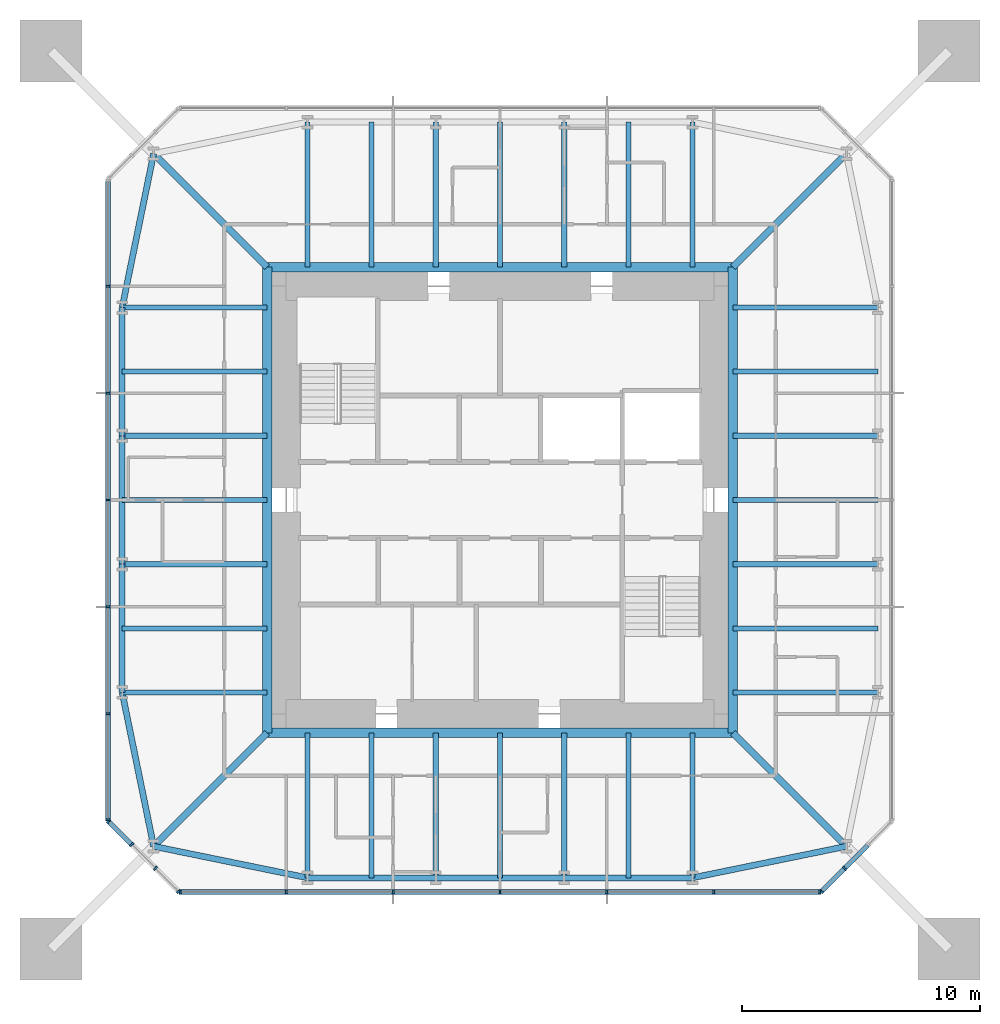
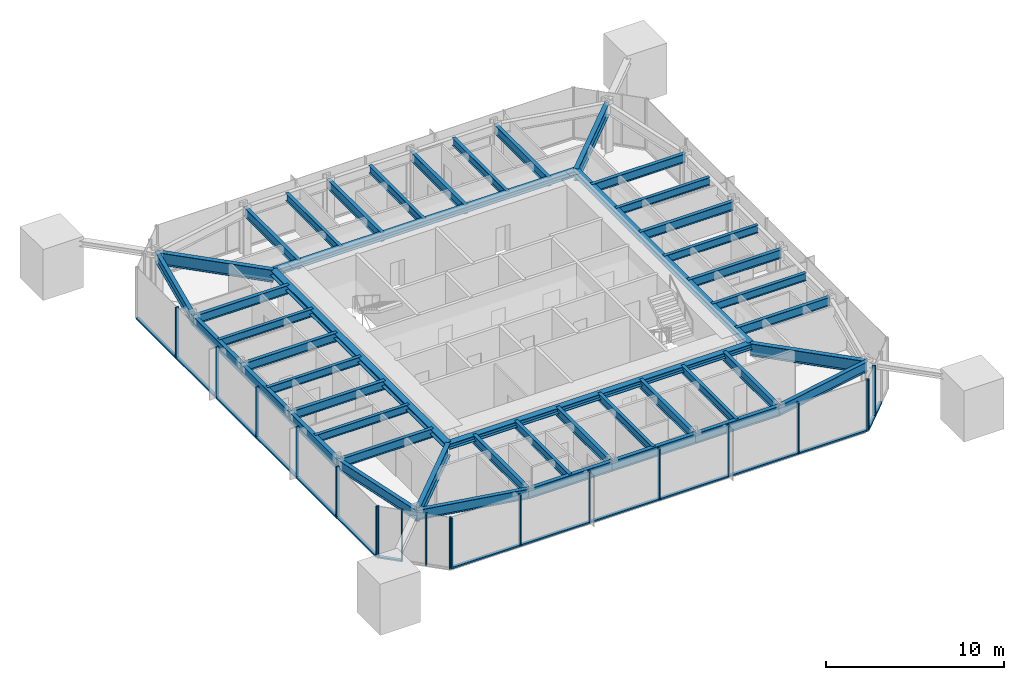
# One storey, part 2 of 9: 46 beams, 34 members, 4 elements without a shape of their own.
"""IFC4 building model written with IfcOpenShell, lengths in metres."""

from ifc_helpers import new_model, si_unit, direction, frame, origin, origin_2d, place, context, subcontext, project, spatial, rectangle, i_section, extrude, material, material_profile, profile_set, type_object, element, aggregate, save


model = new_model("IFC4")

# Units and contexts
model_context = context("Model", 3, precision=1e-05, world=origin(), true_north=direction((0.0, 1.0)))
body_context = subcontext(model_context, "Body", "Model", "MODEL_VIEW")
ifc_project = project(units=[si_unit("LENGTHUNIT", "METRE"), si_unit("AREAUNIT", "SQUARE_METRE"), si_unit("VOLUMEUNIT", "CUBIC_METRE"), si_unit("PLANEANGLEUNIT", "RADIAN"), si_unit("MASSUNIT", "GRAM", prefix="KILO")], contexts=[model_context])

# Site, building, storey
site_placement = place(None, origin())
site = spatial("IfcSite", under=ifc_project, at=site_placement, CompositionType="ELEMENT")
building_placement = place(site_placement, origin())
building = spatial("IfcBuilding", under=site, at=building_placement, Name="Iwan Alto Co-Living Towers", CompositionType="ELEMENT")
storey_placement = place(building_placement, frame((0.0, 0.0, 257.0)))
storey = spatial("IfcBuildingStorey", under=building, at=storey_placement, Name="L70", CompositionType="ELEMENT", Elevation=257.0)

# Curtain wall, members
ifc_material_1 = material(Name="Bronze aluminium unitised frame", Category="aluminium")
curtain_wall_type_1 = type_object("IfcCurtainWallType", Name="CURTAIN WALL CW-A", PredefinedType="NOTDEFINED", material=ifc_material_1)
curtain_wall_1_placement = place(storey_placement, origin())
curtain_wall_1 = element("IfcCurtainWall", 1, at=curtain_wall_1_placement, inside=storey, type_object=curtain_wall_type_1, Name="T1 curtain wall S L70", PredefinedType="NOTDEFINED")
ifc_material_2 = material(Name="Aluminium 6063-T6 bronze anodised", Category="aluminium")
ifc_material_profile_1 = material_profile(ifc_material_2, rectangle(XDim=0.199951171875, YDim=0.080078125, at=origin_2d()), Name="AL 80X200")
ifc_profile_set_1 = profile_set([ifc_material_profile_1], Name="Aluminium 6063-T6 bronze anodised")
member_type_1 = type_object("IfcMemberType", Name="CW-A MULLION 80X200", PredefinedType="MULLION", material=ifc_profile_set_1)
member_1_placement = place(storey_placement, frame((-13.4599609375, -16.5, 0.0), z_axis=(0.0, 0.0, 1.0), x_axis=(0.0, 1.0, 0.0)))
member_1 = element("IfcMember", 2, at=member_1_placement, type_object=member_type_1, Name="CW-A mullion 1", PredefinedType="MULLION", context=body_context, shape_type="SweptSolid", body=[
    extrude(rectangle(XDim=0.199951171875, YDim=0.080078125, at=origin_2d()), origin(), (0.0, 0.0, 1.0), 3.5),
])
member_2_placement = place(storey_placement, frame((-9.0, -16.5, 0.0), z_axis=(0.0, 0.0, 1.0), x_axis=(0.0, 1.0, 0.0)))
member_2 = element("IfcMember", 3, at=member_2_placement, type_object=member_type_1, Name="CW-A mullion 2", PredefinedType="MULLION", context=body_context, shape_type="SweptSolid", body=[
    extrude(rectangle(XDim=0.199951171875, YDim=0.080078125, at=origin_2d()), origin(), (0.0, 0.0, 1.0), 3.5),
])
member_3_placement = place(storey_placement, frame((-4.5, -16.5, 0.0), z_axis=(0.0, 0.0, 1.0), x_axis=(0.0, 1.0, 0.0)))
member_3 = element("IfcMember", 4, at=member_3_placement, type_object=member_type_1, Name="CW-A mullion 3", PredefinedType="MULLION", context=body_context, shape_type="SweptSolid", body=[
    extrude(rectangle(XDim=0.199951171875, YDim=0.080078125, at=origin_2d()), origin(), (0.0, 0.0, 1.0), 3.5),
])
member_4_placement = place(storey_placement, frame((0.0, -16.5, 0.0), z_axis=(0.0, 0.0, 1.0), x_axis=(0.0, 1.0, 0.0)))
member_4 = element("IfcMember", 5, at=member_4_placement, type_object=member_type_1, Name="CW-A mullion 4", PredefinedType="MULLION", context=body_context, shape_type="SweptSolid", body=[
    extrude(rectangle(XDim=0.199951171875, YDim=0.080078125, at=origin_2d()), origin(), (0.0, 0.0, 1.0), 3.5),
])
member_5_placement = place(storey_placement, frame((4.5, -16.5, 0.0), z_axis=(0.0, 0.0, 1.0), x_axis=(0.0, 1.0, 0.0)))
member_5 = element("IfcMember", 6, at=member_5_placement, type_object=member_type_1, Name="CW-A mullion 5", PredefinedType="MULLION", context=body_context, shape_type="SweptSolid", body=[
    extrude(rectangle(XDim=0.199951171875, YDim=0.080078125, at=origin_2d()), origin(), (0.0, 0.0, 1.0), 3.5),
])
member_6_placement = place(storey_placement, frame((9.0, -16.5, 0.0), z_axis=(0.0, 0.0, 1.0), x_axis=(0.0, 1.0, 0.0)))
member_6 = element("IfcMember", 7, at=member_6_placement, type_object=member_type_1, Name="CW-A mullion 6", PredefinedType="MULLION", context=body_context, shape_type="SweptSolid", body=[
    extrude(rectangle(XDim=0.199951171875, YDim=0.080078125, at=origin_2d()), origin(), (0.0, 0.0, 1.0), 3.5),
])
member_7_placement = place(storey_placement, frame((13.4599609375, -16.5, 0.0), z_axis=(0.0, 0.0, 1.0), x_axis=(0.0, 1.0, 0.0)))
member_7 = element("IfcMember", 8, at=member_7_placement, type_object=member_type_1, Name="CW-A mullion 7", PredefinedType="MULLION", context=body_context, shape_type="SweptSolid", body=[
    extrude(rectangle(XDim=0.199951171875, YDim=0.080078125, at=origin_2d()), origin(), (0.0, 0.0, 1.0), 3.5),
])

curtain_wall_2_placement = place(storey_placement, origin())
curtain_wall_2 = element("IfcCurtainWall", 9, at=curtain_wall_2_placement, inside=storey, type_object=curtain_wall_type_1, Name="T1 curtain wall W L70", PredefinedType="NOTDEFINED")
member_8_placement = place(storey_placement, frame((-16.5, 9.0, 0.0), z_axis=(0.0, 0.0, 1.0), x_axis=(1.0, 0.0, 0.0)))
member_8 = element("IfcMember", 10, at=member_8_placement, type_object=member_type_1, Name="CW-A mullion 2", PredefinedType="MULLION", context=body_context, shape_type="SweptSolid", body=[
    extrude(rectangle(XDim=0.199951171875, YDim=0.080078125, at=origin_2d()), origin(), (0.0, 0.0, 1.0), 3.5),
])
member_9_placement = place(storey_placement, frame((-16.5, 4.5, 0.0), z_axis=(0.0, 0.0, 1.0), x_axis=(1.0, 0.0, 0.0)))
member_9 = element("IfcMember", 11, at=member_9_placement, type_object=member_type_1, Name="CW-A mullion 3", PredefinedType="MULLION", context=body_context, shape_type="SweptSolid", body=[
    extrude(rectangle(XDim=0.199951171875, YDim=0.080078125, at=origin_2d()), origin(), (0.0, 0.0, 1.0), 3.5),
])
member_10_placement = place(storey_placement, frame((-16.5, 0.0, 0.0), z_axis=(0.0, 0.0, 1.0), x_axis=(1.0, 0.0, 0.0)))
member_10 = element("IfcMember", 12, at=member_10_placement, type_object=member_type_1, Name="CW-A mullion 4", PredefinedType="MULLION", context=body_context, shape_type="SweptSolid", body=[
    extrude(rectangle(XDim=0.199951171875, YDim=0.080078125, at=origin_2d()), origin(), (0.0, 0.0, 1.0), 3.5),
])
member_11_placement = place(storey_placement, frame((-16.5, -4.5, 0.0), z_axis=(0.0, 0.0, 1.0), x_axis=(1.0, 0.0, 0.0)))
member_11 = element("IfcMember", 13, at=member_11_placement, type_object=member_type_1, Name="CW-A mullion 5", PredefinedType="MULLION", context=body_context, shape_type="SweptSolid", body=[
    extrude(rectangle(XDim=0.199951171875, YDim=0.080078125, at=origin_2d()), origin(), (0.0, 0.0, 1.0), 3.5),
])
member_12_placement = place(storey_placement, frame((-16.5, -9.0, 0.0), z_axis=(0.0, 0.0, 1.0), x_axis=(1.0, 0.0, 0.0)))
member_12 = element("IfcMember", 14, at=member_12_placement, type_object=member_type_1, Name="CW-A mullion 6", PredefinedType="MULLION", context=body_context, shape_type="SweptSolid", body=[
    extrude(rectangle(XDim=0.199951171875, YDim=0.080078125, at=origin_2d()), origin(), (0.0, 0.0, 1.0), 3.5),
])
member_13_placement = place(storey_placement, frame((-16.5, -13.4599609375, 0.0), z_axis=(0.0, 0.0, 1.0), x_axis=(1.0, 0.0, 0.0)))
member_13 = element("IfcMember", 15, at=member_13_placement, type_object=member_type_1, Name="CW-A mullion 7", PredefinedType="MULLION", context=body_context, shape_type="SweptSolid", body=[
    extrude(rectangle(XDim=0.199951171875, YDim=0.080078125, at=origin_2d()), origin(), (0.0, 0.0, 1.0), 3.5),
])

# Member
ifc_material_3 = material(Name="Aluminium 6063-T6 bronze anodised", Category="aluminium")
ifc_material_profile_2 = material_profile(ifc_material_3, rectangle(XDim=0.199951171875, YDim=0.10009765625, at=origin_2d()), Name="AL 200X100")
ifc_profile_set_2 = profile_set([ifc_material_profile_2], Name="Aluminium 6063-T6 bronze anodised")
member_type_2 = type_object("IfcMemberType", Name="CW-A TRANSOM 200X100", PredefinedType="USERDEFINED", material=ifc_profile_set_2)
member_14_placement = place(storey_placement, frame((-13.419921875, -16.5, 0.050048828125), z_axis=(1.0, 0.0, 0.0), x_axis=(0.0, 1.0, 0.0)))
member_14 = element("IfcMember", 16, at=member_14_placement, type_object=member_type_2, Name="CW-A transom 1.1", ObjectType="TRANSOM", PredefinedType="USERDEFINED", context=body_context, shape_type="SweptSolid", body=[
    extrude(rectangle(XDim=0.199951171875, YDim=0.10009765625, at=origin_2d()), origin(), (0.0, 0.0, 1.0), 4.3798828125),
])

member_15_placement = place(storey_placement, frame((-8.9599609375, -16.5, 0.050048828125), z_axis=(1.0, 0.0, 0.0), x_axis=(0.0, 1.0, 0.0)))
member_15 = element("IfcMember", 17, at=member_15_placement, type_object=member_type_2, Name="CW-A transom 2.1", ObjectType="TRANSOM", PredefinedType="USERDEFINED", context=body_context, shape_type="SweptSolid", body=[
    extrude(rectangle(XDim=0.199951171875, YDim=0.10009765625, at=origin_2d()), origin(), (0.0, 0.0, 1.0), 4.419921875),
])

member_16_placement = place(storey_placement, frame((-4.4599609375, -16.5, 0.050048828125), z_axis=(1.0, 0.0, 0.0), x_axis=(0.0, 1.0, 0.0)))
member_16 = element("IfcMember", 18, at=member_16_placement, type_object=member_type_2, Name="CW-A transom 3.1", ObjectType="TRANSOM", PredefinedType="USERDEFINED", context=body_context, shape_type="SweptSolid", body=[
    extrude(rectangle(XDim=0.199951171875, YDim=0.10009765625, at=origin_2d()), origin(), (0.0, 0.0, 1.0), 4.419921875),
])

member_17_placement = place(storey_placement, frame((0.0400390625, -16.5, 0.050048828125), z_axis=(1.0, 0.0, 0.0), x_axis=(0.0, 1.0, 0.0)))
member_17 = element("IfcMember", 19, at=member_17_placement, type_object=member_type_2, Name="CW-A transom 4.1", ObjectType="TRANSOM", PredefinedType="USERDEFINED", context=body_context, shape_type="SweptSolid", body=[
    extrude(rectangle(XDim=0.199951171875, YDim=0.10009765625, at=origin_2d()), origin(), (0.0, 0.0, 1.0), 4.419921875),
])

member_18_placement = place(storey_placement, frame((4.5400390625, -16.5, 0.050048828125), z_axis=(1.0, 0.0, 0.0), x_axis=(0.0, 1.0, 0.0)))
member_18 = element("IfcMember", 20, at=member_18_placement, type_object=member_type_2, Name="CW-A transom 5.1", ObjectType="TRANSOM", PredefinedType="USERDEFINED", context=body_context, shape_type="SweptSolid", body=[
    extrude(rectangle(XDim=0.199951171875, YDim=0.10009765625, at=origin_2d()), origin(), (0.0, 0.0, 1.0), 4.419921875),
])

member_19_placement = place(storey_placement, frame((9.0400390625, -16.5, 0.050048828125), z_axis=(1.0, 0.0, 0.0), x_axis=(0.0, 1.0, 0.0)))
member_19 = element("IfcMember", 21, at=member_19_placement, type_object=member_type_2, Name="CW-A transom 6.1", ObjectType="TRANSOM", PredefinedType="USERDEFINED", context=body_context, shape_type="SweptSolid", body=[
    extrude(rectangle(XDim=0.199951171875, YDim=0.10009765625, at=origin_2d()), origin(), (0.0, 0.0, 1.0), 4.3798828125),
])

aggregate(curtain_wall_1, [member_1, member_2, member_3, member_4, member_5, member_6, member_7, member_14, member_15, member_16, member_17, member_18, member_19])

member_20_placement = place(storey_placement, frame((-16.5, 13.419921875, 0.050048828125), z_axis=(0.0, -1.0, 0.0), x_axis=(1.0, 0.0, 0.0)))
member_20 = element("IfcMember", 22, at=member_20_placement, type_object=member_type_2, Name="CW-A transom 1.1", ObjectType="TRANSOM", PredefinedType="USERDEFINED", context=body_context, shape_type="SweptSolid", body=[
    extrude(rectangle(XDim=0.199951171875, YDim=0.10009765625, at=origin_2d()), origin(), (0.0, 0.0, 1.0), 4.3798828125),
])

member_21_placement = place(storey_placement, frame((-16.5, 8.9599609375, 0.050048828125), z_axis=(0.0, -1.0, 0.0), x_axis=(1.0, 0.0, 0.0)))
member_21 = element("IfcMember", 23, at=member_21_placement, type_object=member_type_2, Name="CW-A transom 2.1", ObjectType="TRANSOM", PredefinedType="USERDEFINED", context=body_context, shape_type="SweptSolid", body=[
    extrude(rectangle(XDim=0.199951171875, YDim=0.10009765625, at=origin_2d()), origin(), (0.0, 0.0, 1.0), 4.419921875),
])

member_22_placement = place(storey_placement, frame((-16.5, 4.4599609375, 0.050048828125), z_axis=(0.0, -1.0, 0.0), x_axis=(1.0, 0.0, 0.0)))
member_22 = element("IfcMember", 24, at=member_22_placement, type_object=member_type_2, Name="CW-A transom 3.1", ObjectType="TRANSOM", PredefinedType="USERDEFINED", context=body_context, shape_type="SweptSolid", body=[
    extrude(rectangle(XDim=0.199951171875, YDim=0.10009765625, at=origin_2d()), origin(), (0.0, 0.0, 1.0), 4.419921875),
])

member_23_placement = place(storey_placement, frame((-16.5, -0.0400390625, 0.050048828125), z_axis=(0.0, -1.0, 0.0), x_axis=(1.0, 0.0, 0.0)))
member_23 = element("IfcMember", 25, at=member_23_placement, type_object=member_type_2, Name="CW-A transom 4.1", ObjectType="TRANSOM", PredefinedType="USERDEFINED", context=body_context, shape_type="SweptSolid", body=[
    extrude(rectangle(XDim=0.199951171875, YDim=0.10009765625, at=origin_2d()), origin(), (0.0, 0.0, 1.0), 4.419921875),
])

member_24_placement = place(storey_placement, frame((-16.5, -4.5400390625, 0.050048828125), z_axis=(0.0, -1.0, 0.0), x_axis=(1.0, 0.0, 0.0)))
member_24 = element("IfcMember", 26, at=member_24_placement, type_object=member_type_2, Name="CW-A transom 5.1", ObjectType="TRANSOM", PredefinedType="USERDEFINED", context=body_context, shape_type="SweptSolid", body=[
    extrude(rectangle(XDim=0.199951171875, YDim=0.10009765625, at=origin_2d()), origin(), (0.0, 0.0, 1.0), 4.419921875),
])

member_25_placement = place(storey_placement, frame((-16.5, -9.0400390625, 0.050048828125), z_axis=(0.0, -1.0, 0.0), x_axis=(1.0, 0.0, 0.0)))
member_25 = element("IfcMember", 27, at=member_25_placement, type_object=member_type_2, Name="CW-A transom 6.1", ObjectType="TRANSOM", PredefinedType="USERDEFINED", context=body_context, shape_type="SweptSolid", body=[
    extrude(rectangle(XDim=0.199951171875, YDim=0.10009765625, at=origin_2d()), origin(), (0.0, 0.0, 1.0), 4.3798828125),
])

aggregate(curtain_wall_2, [member_8, member_9, member_10, member_11, member_12, member_13, member_20, member_21, member_22, member_23, member_24, member_25])

# Curtain wall, members
ifc_material_4 = material(Name="Bronze aluminium unitised frame", Category="aluminium")
curtain_wall_type_2 = type_object("IfcCurtainWallType", Name="CURTAIN WALL CW-B", PredefinedType="NOTDEFINED", material=ifc_material_4)
curtain_wall_3_placement = place(storey_placement, origin())
curtain_wall_3 = element("IfcCurtainWall", 28, at=curtain_wall_3_placement, inside=storey, type_object=curtain_wall_type_2, Name="T1 chamfer curtain wall SE L70", PredefinedType="NOTDEFINED")
ifc_material_5 = material(Name="Aluminium 6063-T6 bronze anodised", Category="aluminium")
ifc_material_profile_3 = material_profile(ifc_material_5, rectangle(XDim=0.199951171875, YDim=0.080078125, at=origin_2d()), Name="AL 80X200")
ifc_profile_set_3 = profile_set([ifc_material_profile_3], Name="Aluminium 6063-T6 bronze anodised")
member_type_3 = type_object("IfcMemberType", Name="CW-B MULLION 80X200", PredefinedType="MULLION", material=ifc_profile_set_3)
member_26_placement = place(storey_placement, frame((13.5283203125, -16.4716796875, 0.0), z_axis=(0.0, 0.0, 1.0), x_axis=(-0.707106781187, 0.707106781187, 0.0)))
member_26 = element("IfcMember", 29, at=member_26_placement, type_object=member_type_3, Name="CW-B mullion 1", PredefinedType="MULLION", context=body_context, shape_type="SweptSolid", body=[
    extrude(rectangle(XDim=0.199951171875, YDim=0.080078125, at=origin_2d()), origin(), (0.0, 0.0, 1.0), 3.5),
])
member_27_placement = place(storey_placement, frame((14.5, -15.5, 0.0), z_axis=(0.0, 0.0, 1.0), x_axis=(-0.707106781187, 0.707106781187, 0.0)))
member_27 = element("IfcMember", 30, at=member_27_placement, type_object=member_type_3, Name="CW-B mullion 2", PredefinedType="MULLION", context=body_context, shape_type="SweptSolid", body=[
    extrude(rectangle(XDim=0.199951171875, YDim=0.080078125, at=origin_2d()), origin(), (0.0, 0.0, 1.0), 3.5),
])

curtain_wall_4_placement = place(storey_placement, origin())
curtain_wall_4 = element("IfcCurtainWall", 31, at=curtain_wall_4_placement, inside=storey, type_object=curtain_wall_type_2, Name="T1 chamfer curtain wall SW L70", PredefinedType="NOTDEFINED")
member_28_placement = place(storey_placement, frame((-16.4716796875, -13.5283203125, 0.0), z_axis=(0.0, 0.0, 1.0), x_axis=(0.707106781187, 0.707106781187, 0.0)))
member_28 = element("IfcMember", 32, at=member_28_placement, type_object=member_type_3, Name="CW-B mullion 1", PredefinedType="MULLION", context=body_context, shape_type="SweptSolid", body=[
    extrude(rectangle(XDim=0.199951171875, YDim=0.080078125, at=origin_2d()), origin(), (0.0, 0.0, 1.0), 3.5),
])
member_29_placement = place(storey_placement, frame((-15.5, -14.5, 0.0), z_axis=(0.0, 0.0, 1.0), x_axis=(0.707106781187, 0.707106781187, 0.0)))
member_29 = element("IfcMember", 33, at=member_29_placement, type_object=member_type_3, Name="CW-B mullion 2", PredefinedType="MULLION", context=body_context, shape_type="SweptSolid", body=[
    extrude(rectangle(XDim=0.199951171875, YDim=0.080078125, at=origin_2d()), origin(), (0.0, 0.0, 1.0), 3.5),
])
member_30_placement = place(storey_placement, frame((-14.5, -15.5, 0.0), z_axis=(0.0, 0.0, 1.0), x_axis=(0.707106781187, 0.707106781187, 0.0)))
member_30 = element("IfcMember", 34, at=member_30_placement, type_object=member_type_3, Name="CW-B mullion 3", PredefinedType="MULLION", context=body_context, shape_type="SweptSolid", body=[
    extrude(rectangle(XDim=0.199951171875, YDim=0.080078125, at=origin_2d()), origin(), (0.0, 0.0, 1.0), 3.5),
])
member_31_placement = place(storey_placement, frame((-13.5283203125, -16.4716796875, 0.0), z_axis=(0.0, 0.0, 1.0), x_axis=(0.707106781187, 0.707106781187, 0.0)))
member_31 = element("IfcMember", 35, at=member_31_placement, type_object=member_type_3, Name="CW-B mullion 4", PredefinedType="MULLION", context=body_context, shape_type="SweptSolid", body=[
    extrude(rectangle(XDim=0.199951171875, YDim=0.080078125, at=origin_2d()), origin(), (0.0, 0.0, 1.0), 3.5),
])

# Member
ifc_material_6 = material(Name="Aluminium 6063-T6 bronze anodised", Category="aluminium")
ifc_material_profile_4 = material_profile(ifc_material_6, rectangle(XDim=0.199951171875, YDim=0.10009765625, at=origin_2d()), Name="AL 200X100")
ifc_profile_set_4 = profile_set([ifc_material_profile_4], Name="Aluminium 6063-T6 bronze anodised")
member_type_4 = type_object("IfcMemberType", Name="CW-B TRANSOM 200X100", PredefinedType="USERDEFINED", material=ifc_profile_set_4)
member_32_placement = place(storey_placement, frame((13.556640625, -16.443359375, 0.050048828125), z_axis=(0.707106781187, 0.707106781187, 0.0), x_axis=(-0.707106781187, 0.707106781187, 0.0)))
member_32 = element("IfcMember", 36, at=member_32_placement, type_object=member_type_4, Name="CW-B transom 1.1", ObjectType="TRANSOM", PredefinedType="USERDEFINED", context=body_context, shape_type="SweptSolid", body=[
    extrude(rectangle(XDim=0.199951171875, YDim=0.10009765625, at=origin_2d()), origin(), (0.0, 0.0, 1.0), 1.2939453125),
])

member_33_placement = place(storey_placement, frame((14.5283203125, -15.4716796875, 0.050048828125), z_axis=(0.707106781187, 0.707106781187, 0.0), x_axis=(-0.707106781187, 0.707106781187, 0.0)))
member_33 = element("IfcMember", 37, at=member_33_placement, type_object=member_type_4, Name="CW-B transom 2.1", ObjectType="TRANSOM", PredefinedType="USERDEFINED", context=body_context, shape_type="SweptSolid", body=[
    extrude(rectangle(XDim=0.199951171875, YDim=0.10009765625, at=origin_2d()), origin(), (0.0, 0.0, 1.0), 1.334228515625),
])

aggregate(curtain_wall_3, [member_26, member_27, member_32, member_33])

member_34_placement = place(storey_placement, frame((-16.443359375, -13.556640625, 0.050048828125), z_axis=(0.707106781187, -0.707106781187, 0.0), x_axis=(0.707106781187, 0.707106781187, 0.0)))
member_34 = element("IfcMember", 38, at=member_34_placement, type_object=member_type_4, Name="CW-B transom 1.1", ObjectType="TRANSOM", PredefinedType="USERDEFINED", context=body_context, shape_type="SweptSolid", body=[
    extrude(rectangle(XDim=0.199951171875, YDim=0.10009765625, at=origin_2d()), origin(), (0.0, 0.0, 1.0), 1.2939453125),
])

aggregate(curtain_wall_4, [member_28, member_29, member_30, member_31, member_34])

# Beams
ifc_material_7 = material(Name="Steel ASTM A992 Gr 50", Category="steel")
ifc_material_profile_5 = material_profile(ifc_material_7, i_section(OverallWidth=0.398681640625, OverallDepth=0.385986328125, WebThickness=0.02099609375, FlangeThickness=0.033203125, at=origin_2d()), Name="W14X176")
ifc_profile_set_5 = profile_set([ifc_material_profile_5], Name="Steel ASTM A992 Gr 50")
beam_type_1 = type_object("IfcBeamType", Name="T1 CORE LEDGER BEAM W14X176", PredefinedType="BEAM", material=ifc_profile_set_5)
for number, where, z_axis, x_axis, name in (
    (39, (-9.79931640625, -9.79931640625, 3.076904296875), (1.0, 0.0, 0.0), (0.0, 1.0, 0.0), "T1 core ledger beam S L71"),
    (40, (9.79931640625, -9.79931640625, 3.076904296875), (0.0, 1.0, 0.0), (-1.0, 0.0, 0.0), "T1 core ledger beam E L71"),
    (41, (9.79931640625, 9.79931640625, 3.076904296875), (-1.0, 0.0, 0.0), (0.0, -1.0, 0.0), "T1 core ledger beam N L71"),
    (42, (-9.79931640625, 9.79931640625, 3.076904296875), (0.0, -1.0, 0.0), (1.0, 0.0, 0.0), "T1 core ledger beam W L71"),
):
    element("IfcBeam", number, at=place(storey_placement, frame(where, z_axis=z_axis, x_axis=x_axis)), inside=storey, type_object=beam_type_1, Name=name, PredefinedType="BEAM", context=body_context, shape_type="SweptSolid", body=[
        extrude(i_section(OverallWidth=0.398681640625, OverallDepth=0.385986328125, WebThickness=0.02099609375, FlangeThickness=0.033203125, at=origin_2d()), origin(), (0.0, 0.0, 1.0), 19.5986328125),
    ])
ifc_material_8 = material(Name="Steel ASTM A992 Gr 50", Category="steel")
ifc_material_profile_6 = material_profile(ifc_material_8, i_section(OverallWidth=0.2919921875, OverallDepth=0.8408203125, WebThickness=0.0146484375, FlangeThickness=0.021728515625, at=origin_2d()), Name="W33X130")
ifc_profile_set_6 = profile_set([ifc_material_profile_6], Name="Steel ASTM A992 Gr 50")
beam_type_2 = type_object("IfcBeamType", Name="T1 CORNER GIRDER W33X130", PredefinedType="BEAM", material=ifc_profile_set_6)
for number, where, z_axis, x_axis, name in (
    (43, (-14.57568359375, -14.57568359375, 2.849609375), (0.707106781187, 0.707106781187, 0.0), (-0.707106781187, 0.707106781187, 0.0), "T1 corner girder CSW L71"),
    (44, (14.57568359375, -14.57568359375, 2.849609375), (-0.707106781187, 0.707106781187, 0.0), (-0.707106781187, -0.707106781187, 0.0), "T1 corner girder CSE L71"),
    (45, (14.57568359375, 14.57568359375, 2.849609375), (-0.707106781187, -0.707106781187, 0.0), (0.707106781187, -0.707106781187, 0.0), "T1 corner girder CNE L71"),
    (46, (-14.57568359375, 14.57568359375, 2.849609375), (0.707106781187, -0.707106781187, 0.0), (0.707106781187, 0.707106781187, 0.0), "T1 corner girder CNW L71"),
):
    element("IfcBeam", number, at=place(storey_placement, frame(where, z_axis=z_axis, x_axis=x_axis)), inside=storey, type_object=beam_type_2, Name=name, PredefinedType="BEAM", context=body_context, shape_type="SweptSolid", body=[
        extrude(i_section(OverallWidth=0.2919921875, OverallDepth=0.8408203125, WebThickness=0.0146484375, FlangeThickness=0.021728515625, at=origin_2d()), origin(), (0.0, 0.0, 1.0), 6.7548828125),
    ])
ifc_material_9 = material(Name="Steel ASTM A992 Gr 50", Category="steel")
ifc_material_profile_7 = material_profile(ifc_material_9, i_section(OverallWidth=0.25390625, OverallDepth=0.683349609375, WebThickness=0.012451171875, FlangeThickness=0.018798828125, at=origin_2d()), Name="W27X94")
ifc_profile_set_7 = profile_set([ifc_material_profile_7], Name="Steel ASTM A992 Gr 50")
beam_type_3 = type_object("IfcBeamType", Name="T1 EDGE BEAM W27X94", PredefinedType="BEAM", material=ifc_profile_set_7)
beam_1_placement = place(storey_placement, frame((-14.57568359375, -14.57568359375, 2.928466796875), z_axis=(0.979724820103, -0.200347889618, 0.0), x_axis=(0.200347889618, 0.979724820103, 0.0)))
element("IfcBeam", 47, at=beam_1_placement, inside=storey, type_object=beam_type_3, Name="T1 edge beam CSW L71", PredefinedType="BEAM", context=body_context, shape_type="SweptSolid", body=[
    extrude(i_section(OverallWidth=0.25390625, OverallDepth=0.683349609375, WebThickness=0.012451171875, FlangeThickness=0.018798828125, at=origin_2d()), origin(), (0.0, 0.0, 1.0), 6.609619140625),
])
beam_2_placement = place(storey_placement, frame((-8.10009765625, -15.89990234375, 2.928466796875), z_axis=(1.0, 0.0, 0.0), x_axis=(0.0, 1.0, 0.0)))
element("IfcBeam", 48, at=beam_2_placement, inside=storey, type_object=beam_type_3, Name="T1 edge beam S1 L71", PredefinedType="BEAM", context=body_context, shape_type="SweptSolid", body=[
    extrude(i_section(OverallWidth=0.25390625, OverallDepth=0.683349609375, WebThickness=0.012451171875, FlangeThickness=0.018798828125, at=origin_2d()), origin(), (0.0, 0.0, 1.0), 5.400146484375),
])
beam_3_placement = place(storey_placement, frame((-2.699951171875, -15.89990234375, 2.928466796875), z_axis=(1.0, 0.0, 0.0), x_axis=(0.0, 1.0, 0.0)))
element("IfcBeam", 49, at=beam_3_placement, inside=storey, type_object=beam_type_3, Name="T1 edge beam S2 L71", PredefinedType="BEAM", context=body_context, shape_type="SweptSolid", body=[
    extrude(i_section(OverallWidth=0.25390625, OverallDepth=0.683349609375, WebThickness=0.012451171875, FlangeThickness=0.018798828125, at=origin_2d()), origin(), (0.0, 0.0, 1.0), 5.39990234375),
])
beam_4_placement = place(storey_placement, frame((2.699951171875, -15.89990234375, 2.928466796875), z_axis=(1.0, 0.0, 0.0), x_axis=(0.0, 1.0, 0.0)))
element("IfcBeam", 50, at=beam_4_placement, inside=storey, type_object=beam_type_3, Name="T1 edge beam S3 L71", PredefinedType="BEAM", context=body_context, shape_type="SweptSolid", body=[
    extrude(i_section(OverallWidth=0.25390625, OverallDepth=0.683349609375, WebThickness=0.012451171875, FlangeThickness=0.018798828125, at=origin_2d()), origin(), (0.0, 0.0, 1.0), 5.400146484375),
])
for number, where, z_axis, x_axis, name in (
    (51, (8.10009765625, -15.89990234375, 2.928466796875), (0.979724820103, 0.200347889618, 0.0), (-0.200347889618, 0.979724820103, 0.0), "T1 edge beam S4 L71"),
    (52, (-14.57568359375, 14.57568359375, 2.928466796875), (-0.200347889618, -0.979724820103, 0.0), (0.979724820103, -0.200347889618, 0.0), "T1 edge beam CNW L71"),
):
    element("IfcBeam", number, at=place(storey_placement, frame(where, z_axis=z_axis, x_axis=x_axis)), inside=storey, type_object=beam_type_3, Name=name, PredefinedType="BEAM", context=body_context, shape_type="SweptSolid", body=[
        extrude(i_section(OverallWidth=0.25390625, OverallDepth=0.683349609375, WebThickness=0.012451171875, FlangeThickness=0.018798828125, at=origin_2d()), origin(), (0.0, 0.0, 1.0), 6.609619140625),
    ])
beam_5_placement = place(storey_placement, frame((-15.89990234375, 8.10009765625, 2.928466796875), z_axis=(0.0, -1.0, 0.0), x_axis=(1.0, 0.0, 0.0)))
element("IfcBeam", 53, at=beam_5_placement, inside=storey, type_object=beam_type_3, Name="T1 edge beam W1 L71", PredefinedType="BEAM", context=body_context, shape_type="SweptSolid", body=[
    extrude(i_section(OverallWidth=0.25390625, OverallDepth=0.683349609375, WebThickness=0.012451171875, FlangeThickness=0.018798828125, at=origin_2d()), origin(), (0.0, 0.0, 1.0), 5.400146484375),
])
beam_6_placement = place(storey_placement, frame((-15.89990234375, 2.699951171875, 2.928466796875), z_axis=(0.0, -1.0, 0.0), x_axis=(1.0, 0.0, 0.0)))
element("IfcBeam", 54, at=beam_6_placement, inside=storey, type_object=beam_type_3, Name="T1 edge beam W2 L71", PredefinedType="BEAM", context=body_context, shape_type="SweptSolid", body=[
    extrude(i_section(OverallWidth=0.25390625, OverallDepth=0.683349609375, WebThickness=0.012451171875, FlangeThickness=0.018798828125, at=origin_2d()), origin(), (0.0, 0.0, 1.0), 5.39990234375),
])
beam_7_placement = place(storey_placement, frame((-15.89990234375, -2.699951171875, 2.928466796875), z_axis=(0.0, -1.0, 0.0), x_axis=(1.0, 0.0, 0.0)))
element("IfcBeam", 55, at=beam_7_placement, inside=storey, type_object=beam_type_3, Name="T1 edge beam W3 L71", PredefinedType="BEAM", context=body_context, shape_type="SweptSolid", body=[
    extrude(i_section(OverallWidth=0.25390625, OverallDepth=0.683349609375, WebThickness=0.012451171875, FlangeThickness=0.018798828125, at=origin_2d()), origin(), (0.0, 0.0, 1.0), 5.400146484375),
])
beam_8_placement = place(storey_placement, frame((-15.89990234375, -8.10009765625, 2.928466796875), z_axis=(0.200347889618, -0.979724820103, 0.0), x_axis=(0.979724820103, 0.200347889618, 0.0)))
element("IfcBeam", 56, at=beam_8_placement, inside=storey, type_object=beam_type_3, Name="T1 edge beam W4 L71", PredefinedType="BEAM", context=body_context, shape_type="SweptSolid", body=[
    extrude(i_section(OverallWidth=0.25390625, OverallDepth=0.683349609375, WebThickness=0.012451171875, FlangeThickness=0.018798828125, at=origin_2d()), origin(), (0.0, 0.0, 1.0), 6.609619140625),
])
ifc_material_10 = material(Name="Steel ASTM A992 Gr 50", Category="steel")
ifc_material_profile_8 = material_profile(ifc_material_10, i_section(OverallWidth=0.228271484375, OverallDepth=0.607177734375, WebThickness=0.01123046875, FlangeThickness=0.017333984375, at=origin_2d()), Name="W24X76")
ifc_profile_set_8 = profile_set([ifc_material_profile_8], Name="Steel ASTM A992 Gr 50")
beam_type_4 = type_object("IfcBeamType", Name="T1 RADIAL BEAM W24X76", PredefinedType="BEAM", material=ifc_profile_set_8)
for number, where, z_axis, x_axis, name in (
    (57, (-8.10009765625, -15.89990234375, 2.966552734375), (0.0, 1.0, 0.0), (-1.0, 0.0, 0.0), "T1 radial beam S1 L71"),
    (58, (-2.699951171875, -15.89990234375, 2.966552734375), (0.0, 1.0, 0.0), (-1.0, 0.0, 0.0), "T1 radial beam S2 L71"),
    (59, (2.699951171875, -15.89990234375, 2.966552734375), (0.0, 1.0, 0.0), (-1.0, 0.0, 0.0), "T1 radial beam S3 L71"),
    (60, (8.10009765625, -15.89990234375, 2.966552734375), (0.0, 1.0, 0.0), (-1.0, 0.0, 0.0), "T1 radial beam S4 L71"),
    (61, (15.89990234375, -8.10009765625, 2.966552734375), (-1.0, 0.0, 0.0), (0.0, -1.0, 0.0), "T1 radial beam E1 L71"),
    (62, (15.89990234375, -2.699951171875, 2.966552734375), (-1.0, 0.0, 0.0), (0.0, -1.0, 0.0), "T1 radial beam E2 L71"),
    (63, (15.89990234375, 2.699951171875, 2.966552734375), (-1.0, 0.0, 0.0), (0.0, -1.0, 0.0), "T1 radial beam E3 L71"),
    (64, (15.89990234375, 8.10009765625, 2.966552734375), (-1.0, 0.0, 0.0), (0.0, -1.0, 0.0), "T1 radial beam E4 L71"),
    (65, (8.10009765625, 15.89990234375, 2.966552734375), (0.0, -1.0, 0.0), (1.0, 0.0, 0.0), "T1 radial beam N1 L71"),
    (66, (2.699951171875, 15.89990234375, 2.966552734375), (0.0, -1.0, 0.0), (1.0, 0.0, 0.0), "T1 radial beam N2 L71"),
    (67, (-2.699951171875, 15.89990234375, 2.966552734375), (0.0, -1.0, 0.0), (1.0, 0.0, 0.0), "T1 radial beam N3 L71"),
    (68, (-8.10009765625, 15.89990234375, 2.966552734375), (0.0, -1.0, 0.0), (1.0, 0.0, 0.0), "T1 radial beam N4 L71"),
    (69, (-15.89990234375, 8.10009765625, 2.966552734375), (1.0, 0.0, 0.0), (0.0, 1.0, 0.0), "T1 radial beam W1 L71"),
    (70, (-15.89990234375, 2.699951171875, 2.966552734375), (1.0, 0.0, 0.0), (0.0, 1.0, 0.0), "T1 radial beam W2 L71"),
    (71, (-15.89990234375, -2.699951171875, 2.966552734375), (1.0, 0.0, 0.0), (0.0, 1.0, 0.0), "T1 radial beam W3 L71"),
    (72, (-15.89990234375, -8.10009765625, 2.966552734375), (1.0, 0.0, 0.0), (0.0, 1.0, 0.0), "T1 radial beam W4 L71"),
):
    element("IfcBeam", number, at=place(storey_placement, frame(where, z_axis=z_axis, x_axis=x_axis)), inside=storey, type_object=beam_type_4, Name=name, PredefinedType="BEAM", context=body_context, shape_type="SweptSolid", body=[
        extrude(i_section(OverallWidth=0.228271484375, OverallDepth=0.607177734375, WebThickness=0.01123046875, FlangeThickness=0.017333984375, at=origin_2d()), origin(), (0.0, 0.0, 1.0), 6.1005859375),
    ])
ifc_material_11 = material(Name="Steel ASTM A992 Gr 50", Category="steel")
ifc_material_profile_9 = material_profile(ifc_material_11, i_section(OverallWidth=0.209228515625, OverallDepth=0.533447265625, WebThickness=0.01025390625, FlangeThickness=0.015625, at=origin_2d()), Name="W21X62")
ifc_profile_set_9 = profile_set([ifc_material_profile_9], Name="Steel ASTM A992 Gr 50")
beam_type_5 = type_object("IfcBeamType", Name="T1 SECONDARY BEAM W21X62", PredefinedType="JOIST", material=ifc_profile_set_9)
for number, where, z_axis, x_axis, name in (
    (73, (-5.39990234375, -15.89990234375, 3.00341796875), (0.0, 1.0, 0.0), (-1.0, 0.0, 0.0), "T1 secondary beam S1 L71"),
    (74, (0.0, -15.89990234375, 3.00341796875), (0.0, 1.0, 0.0), (-1.0, 0.0, 0.0), "T1 secondary beam S2 L71"),
    (75, (5.39990234375, -15.89990234375, 3.00341796875), (0.0, 1.0, 0.0), (-1.0, 0.0, 0.0), "T1 secondary beam S3 L71"),
    (76, (15.89990234375, -5.39990234375, 3.00341796875), (-1.0, 0.0, 0.0), (0.0, -1.0, 0.0), "T1 secondary beam E1 L71"),
    (77, (15.89990234375, 0.0, 3.00341796875), (-1.0, 0.0, 0.0), (0.0, -1.0, 0.0), "T1 secondary beam E2 L71"),
    (78, (15.89990234375, 5.39990234375, 3.00341796875), (-1.0, 0.0, 0.0), (0.0, -1.0, 0.0), "T1 secondary beam E3 L71"),
    (79, (5.39990234375, 15.89990234375, 3.00341796875), (0.0, -1.0, 0.0), (1.0, 0.0, 0.0), "T1 secondary beam N1 L71"),
    (80, (0.0, 15.89990234375, 3.00341796875), (0.0, -1.0, 0.0), (1.0, 0.0, 0.0), "T1 secondary beam N2 L71"),
    (81, (-5.39990234375, 15.89990234375, 3.00341796875), (0.0, -1.0, 0.0), (1.0, 0.0, 0.0), "T1 secondary beam N3 L71"),
    (82, (-15.89990234375, 5.39990234375, 3.00341796875), (1.0, 0.0, 0.0), (0.0, 1.0, 0.0), "T1 secondary beam W1 L71"),
    (83, (-15.89990234375, 0.0, 3.00341796875), (1.0, 0.0, 0.0), (0.0, 1.0, 0.0), "T1 secondary beam W2 L71"),
    (84, (-15.89990234375, -5.39990234375, 3.00341796875), (1.0, 0.0, 0.0), (0.0, 1.0, 0.0), "T1 secondary beam W3 L71"),
):
    element("IfcBeam", number, at=place(storey_placement, frame(where, z_axis=z_axis, x_axis=x_axis)), inside=storey, type_object=beam_type_5, Name=name, PredefinedType="JOIST", context=body_context, shape_type="SweptSolid", body=[
        extrude(i_section(OverallWidth=0.209228515625, OverallDepth=0.533447265625, WebThickness=0.01025390625, FlangeThickness=0.015625, at=origin_2d()), origin(), (0.0, 0.0, 1.0), 6.1005859375),
    ])

save(model, "model.ifc")
